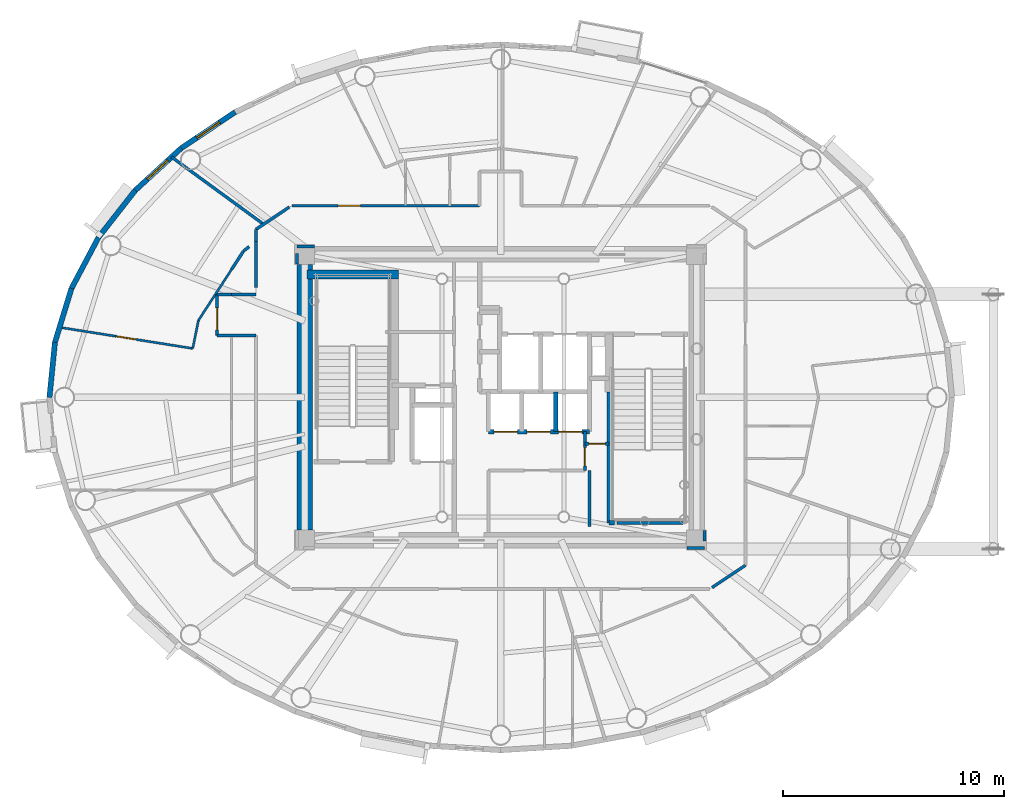
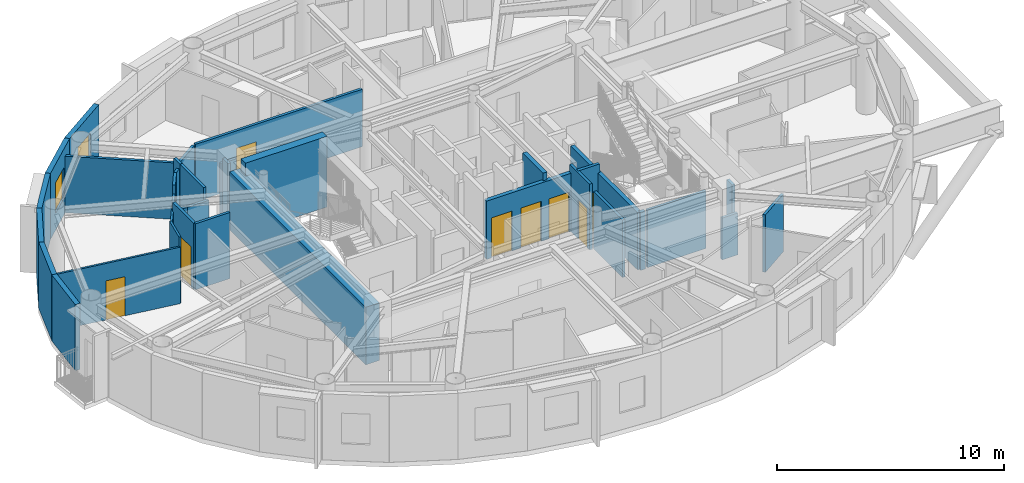
# One storey, part 7 of 17: 35 walls, 8 doors, 2 windows, 10 openings.
"""IFC4 building model written with IfcOpenShell, lengths in metres."""

import ifcopenshell
import ifcopenshell.guid

model = None  # the IFC model being written
_history = None  # IfcOwnerHistory: only IFC2X3 demands one
_inside = {}  # id of a spatial element -> (the spatial element, [elements in it])
_under = {}  # id of a project, library or spatial element -> (it, [spatial elements below it])
_declared = {}  # id of a project -> (the project, [libraries it declares])
_typed = {}  # id of a type object -> (the type object, [elements of that type])
_made_of = {}  # id of a material, layer set ... -> (it, [elements and type objects made of it])


def new_model(schema):
    """Start an empty IFC model of exactly this schema.

    Asked for "IFC4X3", IfcOpenShell would pick the latest addendum, in which some entities
    have other attributes; the version numbers below select the first issue.
    IFC2X3 requires an IfcOwnerHistory on every rooted entity: one is made here for all.
    """
    global model, _history
    if schema == "IFC4X3":
        model = ifcopenshell.file(schema_version=(4, 3, 0, 0))
    else:
        model = ifcopenshell.file(schema=schema)
    _inside.clear()
    _under.clear()
    _declared.clear()
    _typed.clear()
    _made_of.clear()
    _history = None
    if model.schema == "IFC2X3":
        org = make("IfcOrganization", Name="unknown")
        user = make(
            "IfcPersonAndOrganization",
            ThePerson=make("IfcPerson", FamilyName="unknown"),
            TheOrganization=org,
        )
        app = make(
            "IfcApplication",
            ApplicationDeveloper=org,
            Version="unknown",
            ApplicationFullName="unknown",
            ApplicationIdentifier="unknown",
        )
        _history = make(
            "IfcOwnerHistory",
            OwningUser=user,
            OwningApplication=app,
            ChangeAction="ADDED",
            CreationDate=0,
        )
    return model


def make(cls, **values):
    """One entity of the class cls with the attributes given. An attribute that is None is left unset."""
    return model.create_entity(
        cls, **{name: value for name, value in values.items() if value is not None}
    )


def rooted(cls, **values):
    """An entity with a GlobalId (a new one), such as an element, a storey or a relation."""
    return make(cls, GlobalId=ifcopenshell.guid.new(), OwnerHistory=_history, **values)


def si_unit(unit_type, name, prefix=None):
    """IfcSIUnit, for example si_unit("LENGTHUNIT", "METRE", prefix="MILLI")."""
    return make("IfcSIUnit", UnitType=unit_type, Prefix=prefix, Name=name)


def assignment(units):
    """IfcUnitAssignment: the units of a project."""
    return None if units is None else make("IfcUnitAssignment", Units=units)


def point(xyz):
    """IfcCartesianPoint."""
    return None if xyz is None else make("IfcCartesianPoint", Coordinates=xyz)


def direction(xyz):
    """IfcDirection."""
    return None if xyz is None else make("IfcDirection", DirectionRatios=xyz)


def frame(location, z_axis=None, x_axis=None):
    """IfcAxis2Placement3D, a coordinate frame: its origin and axes. An axis left out is left unset."""
    return make(
        "IfcAxis2Placement3D",
        Location=point(location),
        Axis=direction(z_axis),
        RefDirection=direction(x_axis),
    )


def frame_2d(location, x_axis=None):
    """IfcAxis2Placement2D, a coordinate frame in the plane: its origin and x axis."""
    return make(
        "IfcAxis2Placement2D", Location=point(location), RefDirection=direction(x_axis)
    )


def origin():
    """The frame at (0, 0, 0) with its axes left unset."""
    return frame((0.0, 0.0, 0.0))


def origin_2d():
    """The frame at (0, 0) in the plane with its x axis left unset."""
    return frame_2d((0.0, 0.0))


def place(relative_to, where):
    """IfcLocalPlacement: puts the frame where relative to a parent placement (None: the world)."""
    return make(
        "IfcLocalPlacement", PlacementRelTo=relative_to, RelativePlacement=where
    )


def context(
    kind, dimensions, precision=None, world=None, true_north=None, identifier=None
):
    """IfcGeometricRepresentationContext, for example the 3D "Model" context."""
    return make(
        "IfcGeometricRepresentationContext",
        ContextIdentifier=identifier,
        ContextType=kind,
        CoordinateSpaceDimension=dimensions,
        Precision=precision,
        WorldCoordinateSystem=world,
        TrueNorth=true_north,
    )


def subcontext(parent, identifier, kind, view, scale=None):
    """IfcGeometricRepresentationSubContext, for example "Body" below "Model"."""
    return make(
        "IfcGeometricRepresentationSubContext",
        ContextIdentifier=identifier,
        ContextType=kind,
        ParentContext=parent,
        TargetScale=scale,
        TargetView=view,
    )


def project(units=None, contexts=None):
    """IfcProject with its units and contexts."""
    return rooted(
        "IfcProject",
        Name="project",
        RepresentationContexts=contexts,
        UnitsInContext=assignment(units),
    )


def spatial(cls, under=None, at=None, **own):
    """A site, building, storey or space (cls), placed at a placement, below another one or the project."""
    s = rooted(cls, ObjectPlacement=at, **own)
    if under is not None:
        _under.setdefault(under.id(), (under, []))[1].append(s)
    return s


def profile(cls, at=None, kind="AREA", **sizes):
    """A parametric profile (cls). Its sizes go by their IFC names, for example OverallWidth=200.0."""
    return make(cls, ProfileType=kind, Position=at, **sizes)


def rectangle(**sizes):
    """IfcRectangleProfileDef."""
    return profile("IfcRectangleProfileDef", **sizes)


def extrude(swept, where, along, depth):
    """IfcExtrudedAreaSolid: the profile swept, set in the frame where, extruded along a direction by depth."""
    return make(
        "IfcExtrudedAreaSolid",
        SweptArea=swept,
        Position=where,
        ExtrudedDirection=direction(along),
        Depth=depth,
    )


def shape(context_of_items, identifier, shape_type, items):
    """IfcShapeRepresentation: the items that make up one representation, for example the "Body"."""
    return make(
        "IfcShapeRepresentation",
        ContextOfItems=context_of_items,
        RepresentationIdentifier=identifier,
        RepresentationType=shape_type,
        Items=items,
    )


def source(mapping_origin, context_of_items, identifier, shape_type, items):
    """IfcRepresentationMap: a shape defined once, which mapped items show again and again."""
    return make(
        "IfcRepresentationMap",
        MappingOrigin=mapping_origin,
        MappedRepresentation=shape(context_of_items, identifier, shape_type, items),
    )


def transform(
    local_origin,
    x_axis=None,
    y_axis=None,
    z_axis=None,
    scale=None,
    scale2=None,
    scale3=None,
    uniform=True,
):
    """IfcCartesianTransformationOperator3D, or its non-uniform kind. x_axis, y_axis, z_axis: its Axis1, 2, 3."""
    if uniform:
        return make(
            "IfcCartesianTransformationOperator3D",
            Axis1=direction(x_axis),
            Axis2=direction(y_axis),
            LocalOrigin=point(local_origin),
            Scale=scale,
            Axis3=direction(z_axis),
        )
    return make(
        "IfcCartesianTransformationOperator3DnonUniform",
        Axis1=direction(x_axis),
        Axis2=direction(y_axis),
        LocalOrigin=point(local_origin),
        Scale=scale,
        Axis3=direction(z_axis),
        Scale2=scale2,
        Scale3=scale3,
    )


def mapped(mapping_source, mapping_target):
    """IfcMappedItem: shows the shape of a source again, moved by a transform."""
    return make(
        "IfcMappedItem", MappingSource=mapping_source, MappingTarget=mapping_target
    )


def material(Name=None, Category=None):
    """IfcMaterial."""
    return make("IfcMaterial", Name=Name, Category=Category)


def layer(
    of_material, thickness, ventilated=None, Name=None, Category=None, Priority=None
):
    """IfcMaterialLayer: one layer of a wall or slab, of a material (None: an air gap)."""
    return make(
        "IfcMaterialLayer",
        Material=of_material,
        LayerThickness=thickness,
        IsVentilated=ventilated,
        Name=Name,
        Category=Category,
        Priority=Priority,
    )


def layer_set(layers, Name=None):
    """IfcMaterialLayerSet."""
    return make("IfcMaterialLayerSet", MaterialLayers=layers, LayerSetName=Name)


def made_of(thing, what):
    """Note that an element or type object is made of a material, layer set ...; save() writes the relation."""
    if what is not None:
        _made_of.setdefault(what.id(), (what, []))[1].append(thing)
    return thing


def type_object(cls, material=None, **own):
    """A type object (cls), such as IfcWallType, which elements share."""
    return made_of(rooted(cls, **own), material)


def element(
    cls,
    number,
    at=None,
    inside=None,
    cuts=None,
    type_object=None,
    material=None,
    context=None,
    identifier="Body",
    shape_type=None,
    held_by="IfcProductDefinitionShape",
    body=None,
    shapes=None,
    **own,
):
    """One element of the class cls, such as IfcWall. Its Tag is "e" and its number.

    at: its placement. inside: the storey or other place that contains it. cuts: it is an
    opening in that element (IfcRelVoidsElement). A single representation is given by context,
    identifier, shape_type and body (its items); several are given by shapes. held_by: the class
    of the entity that holds the representations. save() writes the other relations.
    """
    e = rooted(cls, Tag="e%d" % number, ObjectPlacement=at, **own)
    if body is not None:
        shapes = [shape(context, identifier, shape_type, body)]
    if shapes is not None:
        e.Representation = make(held_by, Representations=shapes)
    if inside is not None:
        _inside.setdefault(inside.id(), (inside, []))[1].append(e)
    if cuts is not None:
        rooted(
            "IfcRelVoidsElement", RelatingBuildingElement=cuts, RelatedOpeningElement=e
        )
    if type_object is not None:
        _typed.setdefault(type_object.id(), (type_object, []))[1].append(e)
    return made_of(e, material)


def fill(opening, filler):
    """IfcRelFillsElement: the door or window that sits in an opening."""
    return rooted(
        "IfcRelFillsElement",
        RelatingOpeningElement=opening,
        RelatedBuildingElement=filler,
    )


def aggregate(whole, parts):
    """IfcRelAggregates: a whole, such as a stair, and the parts it consists of."""
    return rooted("IfcRelAggregates", RelatingObject=whole, RelatedObjects=parts)


def save(model, path):
    """Write the relations noted so far, then the file.

    IfcRelAggregates (storeys below a building ...), IfcRelContainedInSpatialStructure (elements
    in a storey), IfcRelDefinesByType, IfcRelAssociatesMaterial and IfcRelDeclares: one each for
    every whole, place, type object, material and project.
    """
    for whole, parts in _under.values():
        aggregate(whole, parts)
    for where, things in _inside.values():
        rooted(
            "IfcRelContainedInSpatialStructure",
            RelatedElements=things,
            RelatingStructure=where,
        )
    for kind, things in _typed.values():
        rooted("IfcRelDefinesByType", RelatedObjects=things, RelatingType=kind)
    for what, things in _made_of.values():
        rooted("IfcRelAssociatesMaterial", RelatedObjects=things, RelatingMaterial=what)
    for by, libraries in _declared.values():
        rooted("IfcRelDeclares", RelatingContext=by, RelatedDefinitions=libraries)
    model.write(path)


model = new_model("IFC4")

# Units and contexts
model_context = context("Model", 3, precision=1e-05, world=origin(), true_north=direction((0.0, 1.0)))
body_context = subcontext(model_context, "Body", "Model", "MODEL_VIEW")
ifc_project = project(units=[si_unit("LENGTHUNIT", "METRE"), si_unit("AREAUNIT", "SQUARE_METRE"), si_unit("VOLUMEUNIT", "CUBIC_METRE"), si_unit("PLANEANGLEUNIT", "RADIAN"), si_unit("MASSUNIT", "GRAM", prefix="KILO")], contexts=[model_context])

# Site, building, storey
site_placement = place(None, origin())
site = spatial("IfcSite", under=ifc_project, at=site_placement, CompositionType="ELEMENT")
building_placement = place(site_placement, origin())
building = spatial("IfcBuilding", under=site, at=building_placement, Name="Linh Dai School and Residence Tower", CompositionType="ELEMENT")
storey_placement = place(building_placement, frame((0.0, 0.0, 335.39990234375)))
storey = spatial("IfcBuildingStorey", under=building, at=storey_placement, Name="L83", CompositionType="ELEMENT", Elevation=335.39990234375)

# Wall, opening, window
ifc_material_1 = material(Name="Precast Concrete B45 (C35/45)", Category="concrete")
ifc_layer_1 = layer(ifc_material_1, 0.239990234375)
ifc_layer_set_1 = layer_set([ifc_layer_1], Name="Precast Concrete B45 (C35/45)")
wall_type_1 = type_object("IfcWallType", Name="EW-TC-240", PredefinedType="SOLIDWALL", material=ifc_layer_set_1)
wall_1_placement = place(storey_placement, frame((21.581298828125, 38.254150390625, 0.0), z_axis=(0.0, 0.0, 1.0), x_axis=(0.831201688654, 0.555970999944, 0.0)))
wall_1 = element("IfcWall", 1, at=wall_1_placement, inside=storey, type_object=wall_type_1, Name="L83 Terracotta Exterior Wall 15", PredefinedType="SOLIDWALL", context=body_context, shape_type="SweptSolid", body=[
    extrude(rectangle(XDim=2.924560546875, YDim=0.239990234375, at=frame_2d((1.46240234375, 0.0))), origin(), (0.0, 0.0, 1.0), 3.550048828125),
])
opening_1_placement = place(wall_1_placement, frame((0.83740234375, 0.0, 0.89990234375)))
opening_1 = element("IfcOpeningElement", 2, at=opening_1_placement, cuts=wall_1, Name="Opening W3", PredefinedType="OPENING", context=body_context, shape_type="SweptSolid", body=[
    extrude(rectangle(XDim=1.25, YDim=1.64990234375, at=origin_2d()), frame((0.625, 0.1298828125, 0.824951171875), z_axis=(0.0, -1.0, 0.0), x_axis=(1.0, 0.0, 0.0)), (0.0, 0.0, 1.0), 0.260009765625),
])
ifc_material_2 = material(Name="Double Low-E Insulated Glazing", Category="glass")
window_type = type_object("IfcWindowType", Name="WN-RES-1250x1650", PartitioningType="SINGLE_PANEL", PredefinedType="WINDOW", material=ifc_material_2)
shared_shape_1 = source(origin(), body_context, "Body", "SweptSolid", [
    extrude(rectangle(XDim=1.25, YDim=1.64990234375, at=origin_2d()), frame((0.625, 0.030029296875, 0.824951171875), z_axis=(0.0, -1.0, 0.0), x_axis=(1.0, 0.0, 0.0)), (0.0, 0.0, 1.0), 0.06005859375),
])
window_1_placement = place(opening_1_placement, origin())
window_1 = element("IfcWindow", 3, at=window_1_placement, inside=storey, type_object=window_type, Name="L83 Exterior Window 15.1", OverallHeight=1.64990234375, OverallWidth=1.25, PartitioningType="SINGLE_PANEL", PredefinedType="WINDOW", context=body_context, shape_type="MappedRepresentation", body=[
    mapped(shared_shape_1, transform((0.0, 0.0, 0.0), x_axis=(1.0, 0.0, 0.0), y_axis=(0.0, 1.0, 0.0), z_axis=(0.0, 0.0, 1.0), scale=1.0)),
])
fill(opening_1, window_1)

wall_2_placement = place(storey_placement, frame((19.5068359375, 36.351806640625, 0.0), z_axis=(0.0, 0.0, 1.0), x_axis=(0.737020907932, 0.675869944051, 0.0)))
wall_2 = element("IfcWall", 4, at=wall_2_placement, inside=storey, type_object=wall_type_1, Name="L83 Terracotta Exterior Wall 16", PredefinedType="SOLIDWALL", context=body_context, shape_type="SweptSolid", body=[
    extrude(rectangle(XDim=2.814697265625, YDim=0.239990234375, at=frame_2d((1.4072265625, 0.0))), origin(), (0.0, 0.0, 1.0), 3.550048828125),
])
opening_2_placement = place(wall_2_placement, frame((0.736572265625, 0.0, 0.89990234375)))
opening_2 = element("IfcOpeningElement", 5, at=opening_2_placement, cuts=wall_2, Name="Opening W3", PredefinedType="OPENING", context=body_context, shape_type="SweptSolid", body=[
    extrude(rectangle(XDim=1.25, YDim=1.64990234375, at=origin_2d()), frame((0.625, 0.1298828125, 0.824951171875), z_axis=(0.0, -1.0, 0.0), x_axis=(1.0, 0.0, 0.0)), (0.0, 0.0, 1.0), 0.260009765625),
])
window_2_placement = place(opening_2_placement, origin())
window_2 = element("IfcWindow", 6, at=window_2_placement, inside=storey, type_object=window_type, Name="L83 Dwelling Window U8303-BD1", OverallHeight=1.64990234375, OverallWidth=1.25, PartitioningType="SINGLE_PANEL", PredefinedType="WINDOW", context=body_context, shape_type="MappedRepresentation", body=[
    mapped(shared_shape_1, transform((0.0, 0.0, 0.0), x_axis=(1.0, 0.0, 0.0), y_axis=(0.0, 1.0, 0.0), z_axis=(0.0, 0.0, 1.0), scale=1.0)),
])
fill(opening_2, window_2)

# Walls
wall_3_placement = place(storey_placement, frame((17.839111328125, 34.220703125, 0.0), z_axis=(0.0, 0.0, 1.0), x_axis=(0.616286367698, 0.78752213492, 0.0)))
element("IfcWall", 7, at=wall_3_placement, inside=storey, type_object=wall_type_1, Name="L83 Terracotta Exterior Wall 17", PredefinedType="SOLIDWALL", context=body_context, shape_type="SweptSolid", body=[
    extrude(rectangle(XDim=2.7060546875, YDim=0.239990234375, at=frame_2d((1.35302734375, 0.0))), origin(), (0.0, 0.0, 1.0), 3.550048828125),
])
wall_4_placement = place(storey_placement, frame((16.618896484375, 31.913330078125, 0.0), z_axis=(0.0, 0.0, 1.0), x_axis=(0.467487999989, 0.883999417345, 0.0)))
element("IfcWall", 8, at=wall_4_placement, inside=storey, type_object=wall_type_1, Name="L83 Terracotta Exterior Wall 18", PredefinedType="SOLIDWALL", context=body_context, shape_type="SweptSolid", body=[
    extrude(rectangle(XDim=2.610107421875, YDim=0.239990234375, at=frame_2d((1.30517578125, 0.0))), origin(), (0.0, 0.0, 1.0), 3.550048828125),
])
wall_5_placement = place(storey_placement, frame((15.875, 29.48681640625, 0.0), z_axis=(0.0, 0.0, 1.0), x_axis=(0.293105547213, 0.956080089842, 0.0)))
element("IfcWall", 9, at=wall_5_placement, inside=storey, type_object=wall_type_1, Name="L83 Terracotta Exterior Wall 19", PredefinedType="SOLIDWALL", context=body_context, shape_type="SweptSolid", body=[
    extrude(rectangle(XDim=2.5380859375, YDim=0.239990234375, at=frame_2d((1.26904296875, 0.0))), origin(), (0.0, 0.0, 1.0), 3.550048828125),
])
wall_6_placement = place(storey_placement, frame((15.625, 27.0, 0.0), z_axis=(0.0, 0.0, 1.0), x_axis=(0.100025963401, 0.994984827344, 0.0)))
element("IfcWall", 10, at=wall_6_placement, inside=storey, type_object=wall_type_1, Name="L83 Terracotta Exterior Wall 20", PredefinedType="SOLIDWALL", context=body_context, shape_type="SweptSolid", body=[
    extrude(rectangle(XDim=2.499267578125, YDim=0.239990234375, at=frame_2d((1.24951171875, 0.0))), origin(), (0.0, 0.0, 1.0), 3.550048828125),
])
ifc_material_3 = material(Name="Autoclaved Aerated Concrete Blockwork", Category="masonry")
ifc_layer_2 = layer(ifc_material_3, 0.135009765625)
ifc_layer_set_2 = layer_set([ifc_layer_2], Name="Autoclaved Aerated Concrete Blockwork")
wall_type_2 = type_object("IfcWallType", Name="IW-CORR-135-EI90", PredefinedType="PARTITIONING", material=ifc_layer_set_2)
wall_7_placement = place(storey_placement, frame((21.135009765625, 37.8515625, 0.0), z_axis=(0.0, 0.0, 1.0), x_axis=(0.807673223958, -0.589630361584, 0.0)))
element("IfcWall", 11, at=wall_7_placement, inside=storey, type_object=wall_type_2, Name="L83 Interior Partition Wall 004", PredefinedType="PARTITIONING", context=body_context, shape_type="SweptSolid", body=[
    extrude(rectangle(XDim=5.151611328125, YDim=0.135009765625, at=frame_2d((2.57568359375, 0.0))), origin(), (0.0, 0.0, 1.0), 3.03515625),
])

# Wall, opening, door
wall_8_placement = place(storey_placement, frame((23.199951171875, 29.800048828125, 0.0), z_axis=(0.0, 0.0, 1.0), x_axis=(0.0, 1.0, 0.0)))
wall_8 = element("IfcWall", 12, at=wall_8_placement, inside=storey, type_object=wall_type_2, Name="L83 Interior Partition Wall 010", PredefinedType="PARTITIONING", context=body_context, shape_type="SweptSolid", body=[
    extrude(rectangle(XDim=1.849853515625, YDim=0.135009765625, at=frame_2d((0.9248046875, 0.0))), origin(), (0.0, 0.0, 1.0), 3.550048828125),
])
opening_3_placement = place(wall_8_placement, frame((0.241943359375, 0.0, 0.0)))
opening_3 = element("IfcOpeningElement", 13, at=opening_3_placement, cuts=wall_8, Name="Opening D03", PredefinedType="OPENING", context=body_context, shape_type="SweptSolid", body=[
    extrude(rectangle(XDim=1.0, YDim=2.14990234375, at=origin_2d()), frame((0.5, 0.07763671875, 1.074951171875), z_axis=(0.0, -1.0, 0.0), x_axis=(1.0, 0.0, 0.0)), (0.0, 0.0, 1.0), 0.155029296875),
])
ifc_material_4 = material(Name="Fire-Rated Solid Timber Entrance Door", Category="wood")
door_type_1 = type_object("IfcDoorType", Name="DR-FLAT-1000x2150-FD60S", OperationType="NOTDEFINED", PredefinedType="DOOR", material=ifc_material_4)
shared_shape_2 = source(origin(), body_context, "Body", "SweptSolid", [
    extrude(rectangle(XDim=1.0, YDim=2.14990234375, at=origin_2d()), frame((0.5, 0.02490234375, 1.074951171875), z_axis=(0.0, -1.0, 0.0), x_axis=(1.0, 0.0, 0.0)), (0.0, 0.0, 1.0), 0.050048828125),
])
door_1_placement = place(opening_3_placement, origin())
door_1 = element("IfcDoor", 14, at=door_1_placement, inside=storey, type_object=door_type_1, Name="L83 U8303 Apartment Entrance Door", OperationType="SINGLE_SWING_LEFT", OverallHeight=2.14990234375, OverallWidth=1.0, PredefinedType="DOOR", context=body_context, shape_type="MappedRepresentation", body=[
    mapped(shared_shape_2, transform((0.0, 0.0, 0.0), x_axis=(1.0, 0.0, 0.0), y_axis=(0.0, 1.0, 0.0), z_axis=(0.0, 0.0, 1.0), scale=1.0)),
])
fill(opening_3, door_1)

# Walls
wall_9_placement = place(storey_placement, frame((23.199951171875, 29.800048828125, 0.0), z_axis=(0.0, 0.0, 1.0), x_axis=(1.0, 0.0, 0.0)))
element("IfcWall", 15, at=wall_9_placement, inside=storey, type_object=wall_type_2, Name="L83 Interior Partition Wall 011", PredefinedType="PARTITIONING", context=body_context, shape_type="SweptSolid", body=[
    extrude(rectangle(XDim=1.75, YDim=0.135009765625, at=frame_2d((0.875, 0.0))), origin(), (0.0, 0.0, 1.0), 3.550048828125),
])
wall_10_placement = place(storey_placement, frame((23.199951171875, 31.64990234375, 0.0), z_axis=(0.0, 0.0, 1.0), x_axis=(1.0, 0.0, 0.0)))
element("IfcWall", 16, at=wall_10_placement, inside=storey, type_object=wall_type_2, Name="L83 Interior Partition Wall 012", PredefinedType="PARTITIONING", context=body_context, shape_type="SweptSolid", body=[
    extrude(rectangle(XDim=0.64599609375, YDim=0.135009765625, at=frame_2d((0.322998046875, 0.0))), origin(), (0.0, 0.0, 1.0), 3.085205078125),
])
wall_11_placement = place(storey_placement, frame((24.949951171875, 34.0439453125, 0.0), z_axis=(0.0, 0.0, 1.0), x_axis=(0.0, 1.0, 0.0)))
element("IfcWall", 17, at=wall_11_placement, inside=storey, type_object=wall_type_2, Name="L83 Interior Partition Wall 018", PredefinedType="PARTITIONING", context=body_context, shape_type="SweptSolid", body=[
    extrude(rectangle(XDim=0.53857421875, YDim=0.135009765625, at=frame_2d((0.269287109375, 0.0))), origin(), (0.0, 0.0, 1.0), 3.550048828125),
])
wall_12_placement = place(storey_placement, frame((24.949951171875, 34.58251953125, 0.0), z_axis=(0.0, 0.0, 1.0), x_axis=(0.831138642659, 0.556065244984, 0.0)))
element("IfcWall", 18, at=wall_12_placement, inside=storey, type_object=wall_type_2, Name="L83 Interior Partition Wall 019", PredefinedType="PARTITIONING", context=body_context, shape_type="SweptSolid", body=[
    extrude(rectangle(XDim=1.81494140625, YDim=0.135009765625, at=frame_2d((0.907470703125, 0.0))), origin(), (0.0, 0.0, 1.0), 3.085205078125),
])

# Wall, opening, door
wall_13_placement = place(storey_placement, frame((26.580078125, 35.64990234375, 0.0), z_axis=(0.0, 0.0, 1.0), x_axis=(1.0, 0.0, 0.0)))
wall_13 = element("IfcWall", 19, at=wall_13_placement, inside=storey, type_object=wall_type_2, Name="L83 Interior Partition Wall 022", PredefinedType="PARTITIONING", context=body_context, shape_type="SweptSolid", body=[
    extrude(rectangle(XDim=8.469970703125, YDim=0.135009765625, at=frame_2d((4.23486328125, 0.0))), origin(), (0.0, 0.0, 1.0), 3.085205078125),
])
opening_4_placement = place(wall_13_placement, frame((2.082275390625, 0.0, 0.0)))
opening_4 = element("IfcOpeningElement", 20, at=opening_4_placement, cuts=wall_13, Name="Opening D03", PredefinedType="OPENING", context=body_context, shape_type="SweptSolid", body=[
    extrude(rectangle(XDim=1.0, YDim=2.14990234375, at=origin_2d()), frame((0.5, 0.07763671875, 1.074951171875), z_axis=(0.0, -1.0, 0.0), x_axis=(1.0, 0.0, 0.0)), (0.0, 0.0, 1.0), 0.155029296875),
])
door_2_placement = place(opening_4_placement, origin())
door_2 = element("IfcDoor", 21, at=door_2_placement, inside=storey, type_object=door_type_1, Name="L83 U8302 Apartment Entrance Door", OperationType="SINGLE_SWING_LEFT", OverallHeight=2.14990234375, OverallWidth=1.0, PredefinedType="DOOR", context=body_context, shape_type="MappedRepresentation", body=[
    mapped(shared_shape_2, transform((0.0, 0.0, 0.0), x_axis=(1.0, 0.0, 0.0), y_axis=(0.0, 1.0, 0.0), z_axis=(0.0, 0.0, 1.0), scale=1.0)),
])
fill(opening_4, door_2)

wall_14_placement = place(storey_placement, frame((39.800048828125, 23.699951171875, 0.0), z_axis=(0.0, 0.0, 1.0), x_axis=(0.0, 1.0, 0.0)))
wall_14 = element("IfcWall", 22, at=wall_14_placement, inside=storey, type_object=wall_type_2, Name="L83 Interior Partition Wall 068", PredefinedType="PARTITIONING", context=body_context, shape_type="SweptSolid", body=[
    extrude(rectangle(XDim=1.75, YDim=0.135009765625, at=frame_2d((0.875, 0.0))), origin(), (0.0, 0.0, 1.0), 3.550048828125),
])
opening_5_placement = place(wall_14_placement, frame((0.2099609375, 0.0, 0.0)))
opening_5 = element("IfcOpeningElement", 23, at=opening_5_placement, cuts=wall_14, Name="Opening D06", PredefinedType="OPENING", context=body_context, shape_type="SweptSolid", body=[
    extrude(rectangle(XDim=0.820068359375, YDim=2.10009765625, at=origin_2d()), frame((0.41015625, 0.07763671875, 1.050048828125), z_axis=(0.0, -1.0, 0.0), x_axis=(1.0, 0.0, 0.0)), (0.0, 0.0, 1.0), 0.155029296875),
])
ifc_material_5 = material(Name="Moisture-Resistant Timber Bathroom Door", Category="wood")
door_type_2 = type_object("IfcDoorType", Name="DR-WET-820x2100", OperationType="NOTDEFINED", PredefinedType="DOOR", material=ifc_material_5)
shared_shape_3 = source(origin(), body_context, "Body", "SweptSolid", [
    extrude(rectangle(XDim=0.820068359375, YDim=2.10009765625, at=origin_2d()), frame((0.41015625, 0.02490234375, 1.050048828125), z_axis=(0.0, -1.0, 0.0), x_axis=(1.0, 0.0, 0.0)), (0.0, 0.0, 1.0), 0.050048828125),
])
door_3_placement = place(opening_5_placement, origin())
door_3 = element("IfcDoor", 24, at=door_3_placement, inside=storey, type_object=door_type_2, Name="L83 SE Metering Closet Door", OperationType="SINGLE_SWING_RIGHT", OverallHeight=2.10009765625, OverallWidth=0.820068359375, PredefinedType="DOOR", context=body_context, shape_type="MappedRepresentation", body=[
    mapped(shared_shape_3, transform((0.0, 0.0, 0.0), x_axis=(1.0, 0.0, 0.0), y_axis=(0.0, 1.0, 0.0), z_axis=(0.0, 0.0, 1.0), scale=1.0)),
])
fill(opening_5, door_3)

# Walls
wall_15_placement = place(storey_placement, frame((45.541259765625, 18.408203125, 0.0), z_axis=(0.0, 0.0, 1.0), x_axis=(0.831180227396, 0.556003084151, 0.0)))
element("IfcWall", 25, at=wall_15_placement, inside=storey, type_object=wall_type_2, Name="L83 Interior Partition Wall 079", PredefinedType="PARTITIONING", context=body_context, shape_type="SweptSolid", body=[
    extrude(rectangle(XDim=1.815185546875, YDim=0.135009765625, at=frame_2d((0.90771484375, 0.0))), origin(), (0.0, 0.0, 1.0), 3.085205078125),
])
wall_16_placement = place(storey_placement, frame((44.239990234375, 21.330078125, 0.0), z_axis=(0.0, 0.0, 1.0), x_axis=(-1.0, 0.0, 0.0)))
element("IfcWall", 26, at=wall_16_placement, inside=storey, type_object=wall_type_2, Name="L83 Interior Partition Wall 092", PredefinedType="PARTITIONING", context=body_context, shape_type="SweptSolid", body=[
    extrude(rectangle(XDim=2.97998046875, YDim=0.135009765625, at=frame_2d((1.489990234375, 0.0))), origin(), (0.0, 0.0, 1.0), 3.085205078125),
])
wall_17_placement = place(storey_placement, frame((40.0, 23.699951171875, 0.0), z_axis=(0.0, 0.0, 1.0), x_axis=(0.0, -1.0, 0.0)))
element("IfcWall", 27, at=wall_17_placement, inside=storey, type_object=wall_type_2, Name="L83 Interior Partition Wall 093", PredefinedType="PARTITIONING", context=body_context, shape_type="SweptSolid", body=[
    extrude(rectangle(XDim=2.5400390625, YDim=0.135009765625, at=frame_2d((1.27001953125, 0.0))), origin(), (0.0, 0.0, 1.0), 3.085205078125),
])
wall_18_placement = place(storey_placement, frame((23.85595703125, 31.64990234375, 0.0), z_axis=(0.0, 0.0, 1.0), x_axis=(1.0, 0.0, 0.0)))
element("IfcWall", 28, at=wall_18_placement, inside=storey, type_object=wall_type_2, Name="L83 Interior Partition Wall 094", PredefinedType="PARTITIONING", context=body_context, shape_type="SweptSolid", body=[
    extrude(rectangle(XDim=1.093994140625, YDim=0.135009765625, at=frame_2d((0.546875, 0.0))), origin(), (0.0, 0.0, 1.0), 3.085205078125),
])
wall_19_placement = place(storey_placement, frame((24.949951171875, 31.95751953125, 0.0), z_axis=(0.0, 0.0, 1.0), x_axis=(0.0, 1.0, 0.0)))
element("IfcWall", 29, at=wall_19_placement, inside=storey, type_object=wall_type_2, Name="L83 Interior Partition Wall 095", PredefinedType="PARTITIONING", context=body_context, shape_type="SweptSolid", body=[
    extrude(rectangle(XDim=2.076416015625, YDim=0.135009765625, at=frame_2d((1.0380859375, 0.0))), origin(), (0.0, 0.0, 1.0), 3.550048828125),
])
wall_20_placement = place(storey_placement, frame((27.590087890625, 33.800048828125, 0.0), z_axis=(0.0, 0.0, 1.0), x_axis=(-1.0, 0.0, 0.0)))
element("IfcWall", 30, at=wall_20_placement, inside=storey, type_object=wall_type_2, Name="L83 Interior Partition Wall 097", PredefinedType="PARTITIONING", context=body_context, shape_type="SweptSolid", body=[
    extrude(rectangle(XDim=0.7900390625, YDim=0.135009765625, at=frame_2d((0.39501953125, 0.0))), origin(), (0.0, 0.0, 1.0), 3.085205078125),
])
wall_21_placement = place(storey_placement, frame((26.800048828125, 33.492431640625, 0.0), z_axis=(0.0, 0.0, 1.0), x_axis=(0.0, -1.0, 0.0)))
element("IfcWall", 31, at=wall_21_placement, inside=storey, type_object=wall_type_2, Name="L83 Interior Partition Wall 098", PredefinedType="PARTITIONING", context=body_context, shape_type="SweptSolid", body=[
    extrude(rectangle(XDim=0.482421875, YDim=0.135009765625, at=frame_2d((0.2412109375, 0.0))), origin(), (0.0, 0.0, 1.0), 3.550048828125),
])
wall_22_placement = place(storey_placement, frame((44.409912109375, 20.199951171875, 0.0), z_axis=(0.0, 0.0, 1.0), x_axis=(1.0, 0.0, 0.0)))
element("IfcWall", 32, at=wall_22_placement, inside=storey, type_object=wall_type_2, Name="L83 Interior Partition Wall 101", PredefinedType="PARTITIONING", context=body_context, shape_type="SweptSolid", body=[
    extrude(rectangle(XDim=0.7900390625, YDim=0.135009765625, at=frame_2d((0.39501953125, 0.0))), origin(), (0.0, 0.0, 1.0), 2.25),
])
wall_23_placement = place(storey_placement, frame((45.199951171875, 20.507568359375, 0.0), z_axis=(0.0, 0.0, 1.0), x_axis=(0.0, 1.0, 0.0)))
element("IfcWall", 33, at=wall_23_placement, inside=storey, type_object=wall_type_2, Name="L83 Interior Partition Wall 102", PredefinedType="PARTITIONING", context=body_context, shape_type="SweptSolid", body=[
    extrude(rectangle(XDim=0.482421875, YDim=0.135009765625, at=frame_2d((0.2412109375, 0.0))), origin(), (0.0, 0.0, 1.0), 3.550048828125),
])
wall_24_placement = place(storey_placement, frame((24.642578125, 33.802978515625, 0.0), z_axis=(0.0, 0.0, 1.0), x_axis=(-0.787376183758, -0.616472826043, 0.0)))
element("IfcWall", 34, at=wall_24_placement, inside=storey, type_object=wall_type_2, Name="L83 Interior Partition Wall 104", PredefinedType="PARTITIONING", context=body_context, shape_type="SweptSolid", body=[
    extrude(rectangle(XDim=0.320068359375, YDim=0.135009765625, at=frame_2d((0.16015625, 0.0))), origin(), (0.0, 0.0, 1.0), 3.550048828125),
])
wall_25_placement = place(storey_placement, frame((24.390625, 33.605712890625, 0.0), z_axis=(0.0, 0.0, 1.0), x_axis=(-0.545318185568, -0.838229131258, 0.0)))
element("IfcWall", 35, at=wall_25_placement, inside=storey, type_object=wall_type_2, Name="L83 Interior Partition Wall 105", PredefinedType="PARTITIONING", context=body_context, shape_type="SweptSolid", body=[
    extrude(rectangle(XDim=0.988525390625, YDim=0.135009765625, at=frame_2d((0.494140625, 0.0))), origin(), (0.0, 0.0, 1.0), 3.550048828125),
])

# Wall, opening, door
ifc_layer_3 = layer(ifc_material_3, 0.14990234375)
ifc_layer_set_3 = layer_set([ifc_layer_3], Name="Autoclaved Aerated Concrete Blockwork")
wall_type_3 = type_object("IfcWallType", Name="IW-SCH-150-EI60", PredefinedType="PARTITIONING", material=ifc_layer_set_3)
wall_26_placement = place(storey_placement, frame((39.800048828125, 24.89990234375, 0.0), z_axis=(0.0, 0.0, 1.0), x_axis=(1.0, 0.0, 0.0)))
wall_26 = element("IfcWall", 36, at=wall_26_placement, inside=storey, type_object=wall_type_3, Name="L83 Interior Partition Wall 069", PredefinedType="PARTITIONING", context=body_context, shape_type="SweptSolid", body=[
    extrude(rectangle(XDim=1.099853515625, YDim=0.14990234375, at=frame_2d((0.5498046875, 0.0))), origin(), (0.0, 0.0, 1.0), 3.550048828125),
])
opening_6_placement = place(wall_26_placement, frame((0.169921875, 0.0, 0.0)))
opening_6 = element("IfcOpeningElement", 37, at=opening_6_placement, cuts=wall_26, Name="Opening D08", PredefinedType="OPENING", context=body_context, shape_type="SweptSolid", body=[
    extrude(rectangle(XDim=0.760009765625, YDim=2.10009765625, at=origin_2d()), frame((0.3798828125, 0.0849609375, 1.050048828125), z_axis=(0.0, -1.0, 0.0), x_axis=(1.0, 0.0, 0.0)), (0.0, 0.0, 1.0), 0.169921875),
])
ifc_material_6 = material(Name="Engineered Timber Closet and Study Door", Category="wood")
door_type_3 = type_object("IfcDoorType", Name="DR-CMP-760x2100", OperationType="NOTDEFINED", PredefinedType="DOOR", material=ifc_material_6)
shared_shape_4 = source(origin(), body_context, "Body", "SweptSolid", [
    extrude(rectangle(XDim=0.760009765625, YDim=2.10009765625, at=origin_2d()), frame((0.3798828125, 0.02490234375, 1.050048828125), z_axis=(0.0, -1.0, 0.0), x_axis=(1.0, 0.0, 0.0)), (0.0, 0.0, 1.0), 0.050048828125),
])
door_4_placement = place(opening_6_placement, origin())
door_4 = element("IfcDoor", 38, at=door_4_placement, inside=storey, type_object=door_type_3, Name="L83 NE Cleaners Store Door", OperationType="SINGLE_SWING_LEFT", OverallHeight=2.10009765625, OverallWidth=0.760009765625, PredefinedType="DOOR", context=body_context, shape_type="MappedRepresentation", body=[
    mapped(shared_shape_4, transform((0.0, 0.0, 0.0), x_axis=(1.0, 0.0, 0.0), y_axis=(0.0, 1.0, 0.0), z_axis=(0.0, 0.0, 1.0), scale=1.0)),
])
fill(opening_6, door_4)

# Wall, openings, doors
ifc_material_7 = material(Name="Concrete B45 (C35/45)", Category="concrete")
ifc_layer_4 = layer(ifc_material_7, 0.199951171875)
ifc_layer_set_4 = layer_set([ifc_layer_4], Name="Concrete B45 (C35/45)")
wall_type_4 = type_object("IfcWallType", Name="IW-SHAFT-200-EI120", PredefinedType="PARTITIONING", material=ifc_layer_set_4)
wall_27_placement = place(storey_placement, frame((35.449951171875, 25.449951171875, 0.0), z_axis=(0.0, 0.0, 1.0), x_axis=(1.0, 0.0, 0.0)))
wall_27 = element("IfcWall", 39, at=wall_27_placement, inside=storey, type_object=wall_type_4, Name="L83 Interior Partition Wall 051", PredefinedType="PARTITIONING", context=body_context, shape_type="SweptSolid", body=[
    extrude(rectangle(XDim=4.550048828125, YDim=0.199951171875, at=frame_2d((2.27490234375, 0.0))), origin(), (0.0, 0.0, 1.0), 3.135009765625),
])
opening_7_placement = place(wall_27_placement, frame((0.25, 0.0, 0.0)))
opening_7 = element("IfcOpeningElement", 40, at=opening_7_placement, cuts=wall_27, Name="Opening LD-PL7", PredefinedType="OPENING", context=body_context, shape_type="SweptSolid", body=[
    extrude(rectangle(XDim=1.050048828125, YDim=2.14990234375, at=origin_2d()), frame((0.52490234375, 0.10986328125, 1.074951171875), z_axis=(0.0, -1.0, 0.0), x_axis=(1.0, 0.0, 0.0)), (0.0, 0.0, 1.0), 0.219970703125),
])
opening_8_placement = place(wall_27_placement, frame((1.7451171875, 0.0, 0.0)))
opening_8 = element("IfcOpeningElement", 41, at=opening_8_placement, cuts=wall_27, Name="Opening LD-PL8", PredefinedType="OPENING", context=body_context, shape_type="SweptSolid", body=[
    extrude(rectangle(XDim=1.050048828125, YDim=2.14990234375, at=origin_2d()), frame((0.52490234375, 0.10986328125, 1.074951171875), z_axis=(0.0, -1.0, 0.0), x_axis=(1.0, 0.0, 0.0)), (0.0, 0.0, 1.0), 0.219970703125),
])
opening_9_placement = place(wall_27_placement, frame((3.1650390625, 0.0, 0.0)))
opening_9 = element("IfcOpeningElement", 42, at=opening_9_placement, cuts=wall_27, Name="Opening LD-PL9", PredefinedType="OPENING", context=body_context, shape_type="SweptSolid", body=[
    extrude(rectangle(XDim=1.050048828125, YDim=2.14990234375, at=origin_2d()), frame((0.52490234375, 0.10986328125, 1.074951171875), z_axis=(0.0, -1.0, 0.0), x_axis=(1.0, 0.0, 0.0)), (0.0, 0.0, 1.0), 0.219970703125),
])
ifc_material_8 = material(Name="Brushed Stainless Steel Lift Landing Door", Category="steel")
door_type_4 = type_object("IfcDoorType", Name="DR-LD-PASS-1050x2150", OperationType="DOUBLE_DOOR_SLIDING", PredefinedType="USERDEFINED", material=ifc_material_8)
shared_shape_5 = source(origin(), body_context, "Body", "SweptSolid", [
    extrude(rectangle(XDim=1.050048828125, YDim=2.14990234375, at=origin_2d()), frame((0.52490234375, 0.02490234375, 1.074951171875), z_axis=(0.0, -1.0, 0.0), x_axis=(1.0, 0.0, 0.0)), (0.0, 0.0, 1.0), 0.050048828125),
])
door_5_placement = place(opening_7_placement, origin())
door_5 = element("IfcDoor", 43, at=door_5_placement, inside=storey, type_object=door_type_4, Name="L83 Lift PL7 Sliding Landing Door", ObjectType="LANDING DOOR", OperationType="DOUBLE_DOOR_SLIDING", OverallHeight=2.14990234375, OverallWidth=1.050048828125, PredefinedType="USERDEFINED", context=body_context, shape_type="MappedRepresentation", body=[
    mapped(shared_shape_5, transform((0.0, 0.0, 0.0), x_axis=(1.0, 0.0, 0.0), y_axis=(0.0, 1.0, 0.0), z_axis=(0.0, 0.0, 1.0), scale=1.0)),
])
fill(opening_7, door_5)
door_6_placement = place(opening_8_placement, origin())
door_6 = element("IfcDoor", 44, at=door_6_placement, inside=storey, type_object=door_type_4, Name="L83 Lift PL8 Sliding Landing Door", ObjectType="LANDING DOOR", OperationType="DOUBLE_DOOR_SLIDING", OverallHeight=2.14990234375, OverallWidth=1.050048828125, PredefinedType="USERDEFINED", context=body_context, shape_type="MappedRepresentation", body=[
    mapped(shared_shape_5, transform((0.0, 0.0, 0.0), x_axis=(1.0, 0.0, 0.0), y_axis=(0.0, 1.0, 0.0), z_axis=(0.0, 0.0, 1.0), scale=1.0)),
])
fill(opening_8, door_6)
door_7_placement = place(opening_9_placement, origin())
door_7 = element("IfcDoor", 45, at=door_7_placement, inside=storey, type_object=door_type_4, Name="L83 Lift PL9 Sliding Landing Door", ObjectType="LANDING DOOR", OperationType="DOUBLE_DOOR_SLIDING", OverallHeight=2.14990234375, OverallWidth=1.050048828125, PredefinedType="USERDEFINED", context=body_context, shape_type="MappedRepresentation", body=[
    mapped(shared_shape_5, transform((0.0, 0.0, 0.0), x_axis=(1.0, 0.0, 0.0), y_axis=(0.0, 1.0, 0.0), z_axis=(0.0, 0.0, 1.0), scale=1.0)),
])
fill(opening_9, door_7)

# Walls
wall_28_placement = place(storey_placement, frame((38.47998046875, 25.449951171875, 0.0), z_axis=(0.0, 0.0, 1.0), x_axis=(0.0, 1.0, 0.0)))
element("IfcWall", 46, at=wall_28_placement, inside=storey, type_object=wall_type_4, Name="L83 Interior Partition Wall 061", PredefinedType="PARTITIONING", context=body_context, shape_type="SweptSolid", body=[
    extrude(rectangle(XDim=1.800048828125, YDim=0.199951171875, at=frame_2d((0.89990234375, 0.0))), origin(), (0.0, 0.0, 1.0), 3.550048828125),
])
wall_29_placement = place(storey_placement, frame((40.89990234375, 21.330078125, 0.0), z_axis=(0.0, 0.0, 1.0), x_axis=(0.0, 1.0, 0.0)))
element("IfcWall", 47, at=wall_29_placement, inside=storey, type_object=wall_type_4, Name="L83 Interior Partition Wall 074", PredefinedType="PARTITIONING", context=body_context, shape_type="SweptSolid", body=[
    extrude(rectangle(XDim=5.909912109375, YDim=0.199951171875, at=frame_2d((2.955078125, 0.0))), origin(), (0.0, 0.0, 1.0), 3.085205078125),
])
wall_30_placement = place(storey_placement, frame((40.89990234375, 21.330078125, 0.0), z_axis=(0.0, 0.0, 1.0), x_axis=(1.0, 0.0, 0.0)))
element("IfcWall", 48, at=wall_30_placement, inside=storey, type_object=wall_type_4, Name="L83 Interior Partition Wall 075", PredefinedType="PARTITIONING", context=body_context, shape_type="SweptSolid", body=[
    extrude(rectangle(XDim=0.25, YDim=0.199951171875, at=frame_2d((0.125, 0.0))), origin(), (0.0, 0.0, 1.0), 3.085205078125),
])

# Wall, opening, door
ifc_material_9 = material(Name="Gypsum Plasterboard Acoustic Stud Partition", Category="masonry")
ifc_layer_5 = layer(ifc_material_9, 0.10009765625)
ifc_layer_set_5 = layer_set([ifc_layer_5], Name="Gypsum Plasterboard Acoustic Stud Partition")
wall_type_5 = type_object("IfcWallType", Name="IW-UNIT-100", PredefinedType="PARTITIONING", material=ifc_layer_set_5)
wall_31_placement = place(storey_placement, frame((16.07666015625, 30.16162109375, 0.0), z_axis=(0.0, 0.0, 1.0), x_axis=(0.987639564331, -0.156742116127, 0.0)))
wall_31 = element("IfcWall", 49, at=wall_31_placement, inside=storey, type_object=wall_type_5, Name="L83 Interior Partition Wall 001", PredefinedType="PARTITIONING", context=body_context, shape_type="SweptSolid", body=[
    extrude(rectangle(XDim=6.094970703125, YDim=0.10009765625, at=frame_2d((3.04736328125, 0.0))), origin(), (0.0, 0.0, 1.0), 3.03515625),
])
opening_10_placement = place(wall_31_placement, frame((2.597412109375, 0.0, 0.0)))
opening_10 = element("IfcOpeningElement", 50, at=opening_10_placement, cuts=wall_31, Name="Opening D05", PredefinedType="OPENING", context=body_context, shape_type="SweptSolid", body=[
    extrude(rectangle(XDim=0.89990234375, YDim=2.10009765625, at=origin_2d()), frame((0.449951171875, 0.06005859375, 1.050048828125), z_axis=(0.0, -1.0, 0.0), x_axis=(1.0, 0.0, 0.0)), (0.0, 0.0, 1.0), 0.1201171875),
])
ifc_material_10 = material(Name="Engineered Timber Internal Door", Category="wood")
door_type_5 = type_object("IfcDoorType", Name="DR-INT-900x2100", OperationType="NOTDEFINED", PredefinedType="DOOR", material=ifc_material_10)
shared_shape_6 = source(origin(), body_context, "Body", "SweptSolid", [
    extrude(rectangle(XDim=0.89990234375, YDim=2.10009765625, at=origin_2d()), frame((0.449951171875, 0.02490234375, 1.050048828125), z_axis=(0.0, -1.0, 0.0), x_axis=(1.0, 0.0, 0.0)), (0.0, 0.0, 1.0), 0.050048828125),
])
door_8_placement = place(opening_10_placement, origin())
door_8 = element("IfcDoor", 51, at=door_8_placement, inside=storey, type_object=door_type_5, Name="L83 Apartment U8303 Principal Bedroom 1 Door", OperationType="SINGLE_SWING_RIGHT", OverallHeight=2.10009765625, OverallWidth=0.89990234375, PredefinedType="DOOR", context=body_context, shape_type="MappedRepresentation", body=[
    mapped(shared_shape_6, transform((0.0, 0.0, 0.0), x_axis=(1.0, 0.0, 0.0), y_axis=(0.0, 1.0, 0.0), z_axis=(0.0, 0.0, 1.0), scale=1.0)),
])
fill(opening_10, door_8)

# Walls
wall_32_placement = place(storey_placement, frame((22.09619140625, 29.206298828125, 0.0), z_axis=(0.0, 0.0, 1.0), x_axis=(0.198186651624, 0.980164298023, 0.0)))
element("IfcWall", 52, at=wall_32_placement, inside=storey, type_object=wall_type_5, Name="L83 Interior Partition Wall 006", PredefinedType="PARTITIONING", context=body_context, shape_type="SweptSolid", body=[
    extrude(rectangle(XDim=1.292236328125, YDim=0.10009765625, at=frame_2d((0.64599609375, 0.0))), origin(), (0.0, 0.0, 1.0), 3.550048828125),
])
wall_33_placement = place(storey_placement, frame((22.352294921875, 30.472900390625, 0.0), z_axis=(0.0, 0.0, 1.0), x_axis=(0.545326673802, 0.838223609093, 0.0)))
element("IfcWall", 53, at=wall_33_placement, inside=storey, type_object=wall_type_5, Name="L83 Interior Partition Wall 007", PredefinedType="PARTITIONING", context=body_context, shape_type="SweptSolid", body=[
    extrude(rectangle(XDim=2.739013671875, YDim=0.10009765625, at=frame_2d((1.36962890625, 0.0))), origin(), (0.0, 0.0, 1.0), 3.085205078125),
])
ifc_layer_6 = layer(ifc_material_7, 0.39990234375)
ifc_layer_set_6 = layer_set([ifc_layer_6], Name="Concrete B45 (C35/45)")
wall_type_6 = type_object("IfcWallType", Name="WL-CORE400", PredefinedType="SHEAR", material=ifc_layer_set_6)
wall_34_placement = place(storey_placement, frame((27.25, 32.550048828125, 0.0), z_axis=(0.0, 0.0, 1.0), x_axis=(1.0, 0.0, 0.0)))
element("IfcWall", 54, at=wall_34_placement, inside=storey, type_object=wall_type_6, Name="L83 Core Stair ST1 Bearing Wall N", PredefinedType="SHEAR", context=body_context, shape_type="SweptSolid", body=[
    extrude(rectangle(XDim=4.1298828125, YDim=0.39990234375, at=frame_2d((2.06494140625, 0.0))), origin(), (0.0, 0.0, 1.0), 3.800048828125),
])
ifc_layer_7 = layer(ifc_material_7, 0.699951171875)
ifc_layer_set_7 = layer_set([ifc_layer_7], Name="Concrete B45 (C35/45)")
wall_type_7 = type_object("IfcWallType", Name="WL-CORE700", PredefinedType="SHEAR", material=ifc_layer_set_7)
wall_35_placement = place(storey_placement, frame((27.14990234375, 21.0, 0.0), z_axis=(0.0, 0.0, 1.0), x_axis=(0.0, 1.0, 0.0)))
element("IfcWall", 55, at=wall_35_placement, inside=storey, type_object=wall_type_7, Name="L83 Central Core Shear Wall W", PredefinedType="SHEAR", context=body_context, shape_type="SweptSolid", body=[
    extrude(rectangle(XDim=12.0, YDim=0.699951171875, at=frame_2d((6.0, 0.0))), origin(), (0.0, 0.0, 1.0), 3.10009765625),
])

save(model, "model.ifc")
